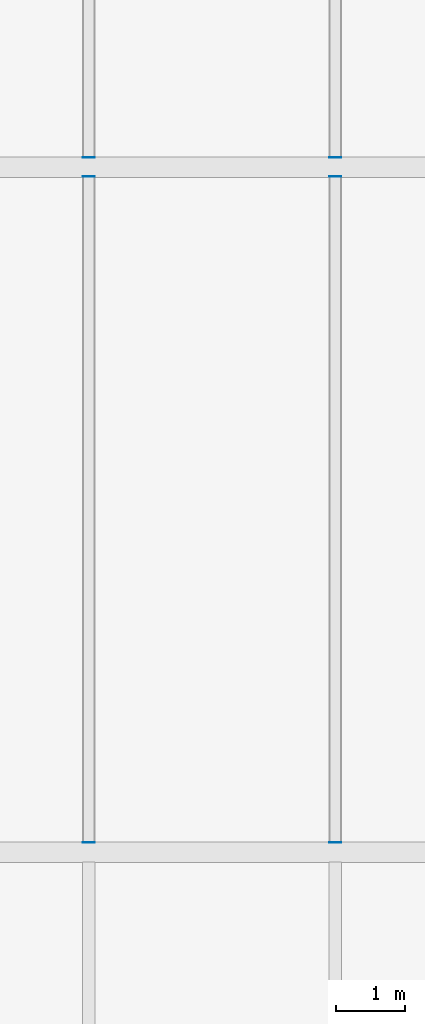
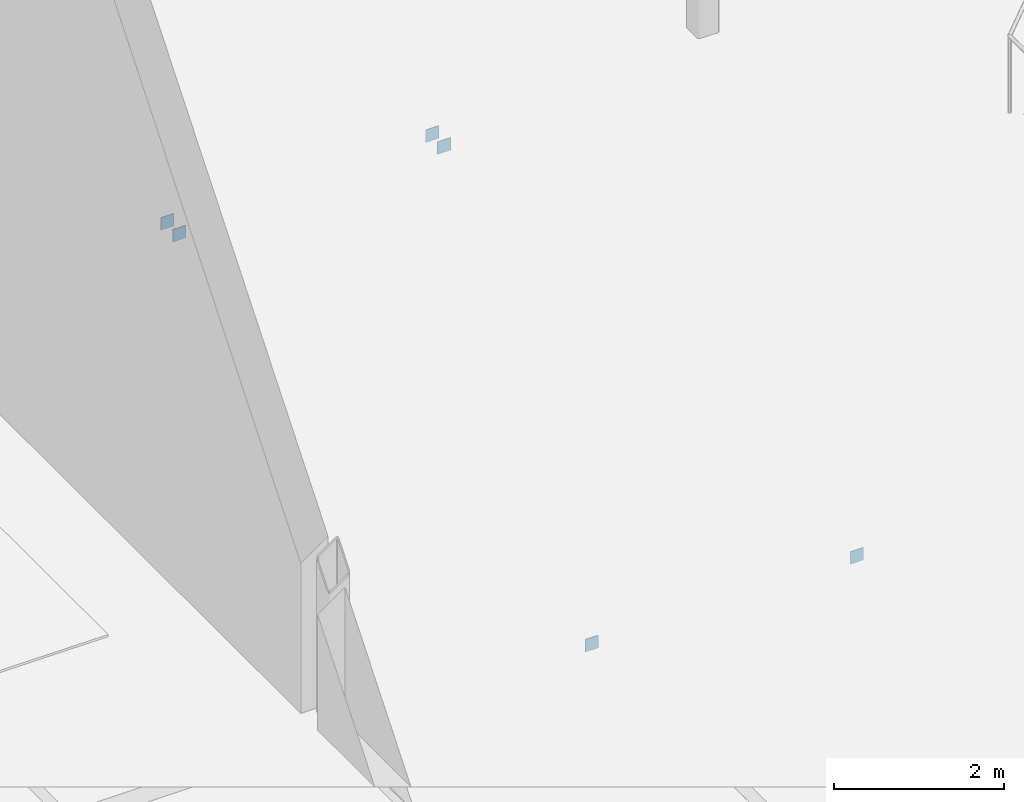
# One storey, part 77 of 100: 6 plates.
"""IFC4 building model written with IfcOpenShell, lengths in metres."""

from ifc_helpers import new_model, si_unit, direction, frame, origin, origin_2d, place, context, subcontext, project, spatial, rectangle, extrude, material, layer, layer_set, type_object, element, save


model = new_model("IFC4")

# Units and contexts
model_context = context("Model", 3, precision=1e-05, world=origin(), true_north=direction((0.0, 1.0)))
body_context = subcontext(model_context, "Body", "Model", "MODEL_VIEW")
ifc_project = project(units=[si_unit("LENGTHUNIT", "METRE"), si_unit("AREAUNIT", "SQUARE_METRE"), si_unit("VOLUMEUNIT", "CUBIC_METRE"), si_unit("PLANEANGLEUNIT", "RADIAN"), si_unit("MASSUNIT", "GRAM", prefix="KILO")], contexts=[model_context])

# Site, building, storey
site_placement = place(None, origin())
site = spatial("IfcSite", under=ifc_project, at=site_placement, CompositionType="ELEMENT")
building_placement = place(site_placement, origin())
building = spatial("IfcBuilding", under=site, at=building_placement, Name="Tasgan Crest Museum", CompositionType="ELEMENT")
storey_placement = place(building_placement, frame((0.0, 0.0, 14.39990234375)))
storey = spatial("IfcBuildingStorey", under=building, at=storey_placement, Name="L03", CompositionType="ELEMENT", Elevation=14.39990234375)

# Plates
ifc_material = material(Name="Steel S355K2", Category="steel")
ifc_layer = layer(ifc_material, 0.179931640625, Name="PL-CAP-10x180x180")
ifc_layer_set = layer_set([ifc_layer], Name="Steel S355K2")
plate_type = type_object("IfcPlateType", Name="PL-CAP-10x180x180", PredefinedType="USERDEFINED", material=ifc_layer_set)
for number, where, z_axis, x_axis, name in (
    (1, (57.60009765625, 62.139892578125, -0.419921875), (0.0, 0.0, 1.0), (0.0, 1.0, 0.0), "End plate Secondary joist L03 X=57.6 Y=62.0-72.0 end A"),
    (2, (57.60009765625, 71.860107421875, -0.419921875), (0.0, 0.0, 1.0), (0.0, 1.0, 0.0), "End plate Secondary joist L03 X=57.6 Y=62.0-72.0 end B"),
    (3, (61.199951171875, 62.139892578125, -0.419921875), (0.0, 0.0, 1.0), (0.0, 1.0, 0.0), "End plate Secondary joist L03 X=61.2 Y=62.0-72.0 end A"),
    (4, (61.199951171875, 71.860107421875, -0.419921875), (0.0, 0.0, 1.0), (0.0, 1.0, 0.0), "End plate Secondary joist L03 X=61.2 Y=62.0-72.0 end B"),
    (5, (57.60009765625, 72.139892578125, -0.419921875), (0.0, 0.0, 1.0), (0.0, 1.0, 0.0), "End plate Secondary joist L03 X=57.6 Y=72.0-82.0 end A"),
    (6, (61.199951171875, 72.139892578125, -0.419921875), (0.0, 0.0, 1.0), (0.0, 1.0, 0.0), "End plate Secondary joist L03 X=61.2 Y=72.0-82.0 end A"),
):
    element("IfcPlate", number, at=place(storey_placement, frame(where, z_axis=z_axis, x_axis=x_axis)), inside=storey, type_object=plate_type, Name=name, ObjectType="END PLATE", PredefinedType="USERDEFINED", context=body_context, shape_type="SweptSolid", body=[
        extrude(rectangle(XDim=0.010009765625, YDim=0.179931640625, at=origin_2d()), origin(), (0.0, 0.0, 1.0), 0.179931640625),
    ])

save(model, "model.ifc")
